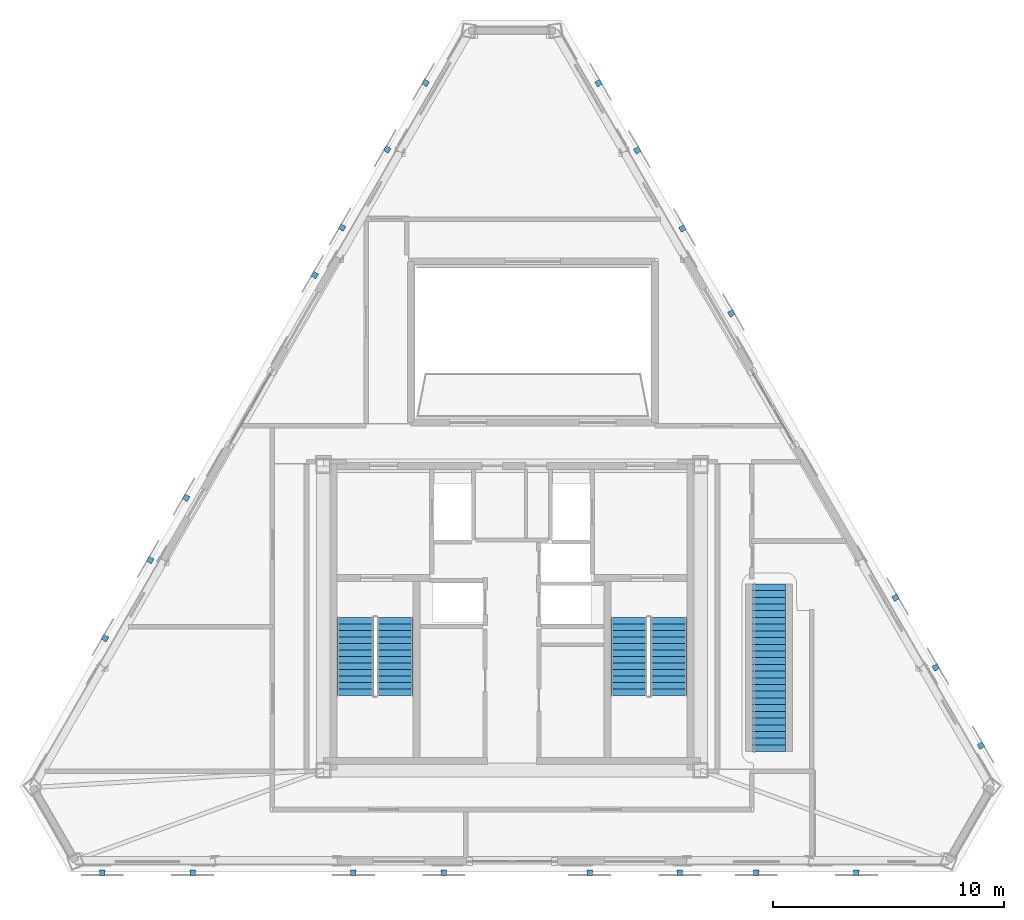
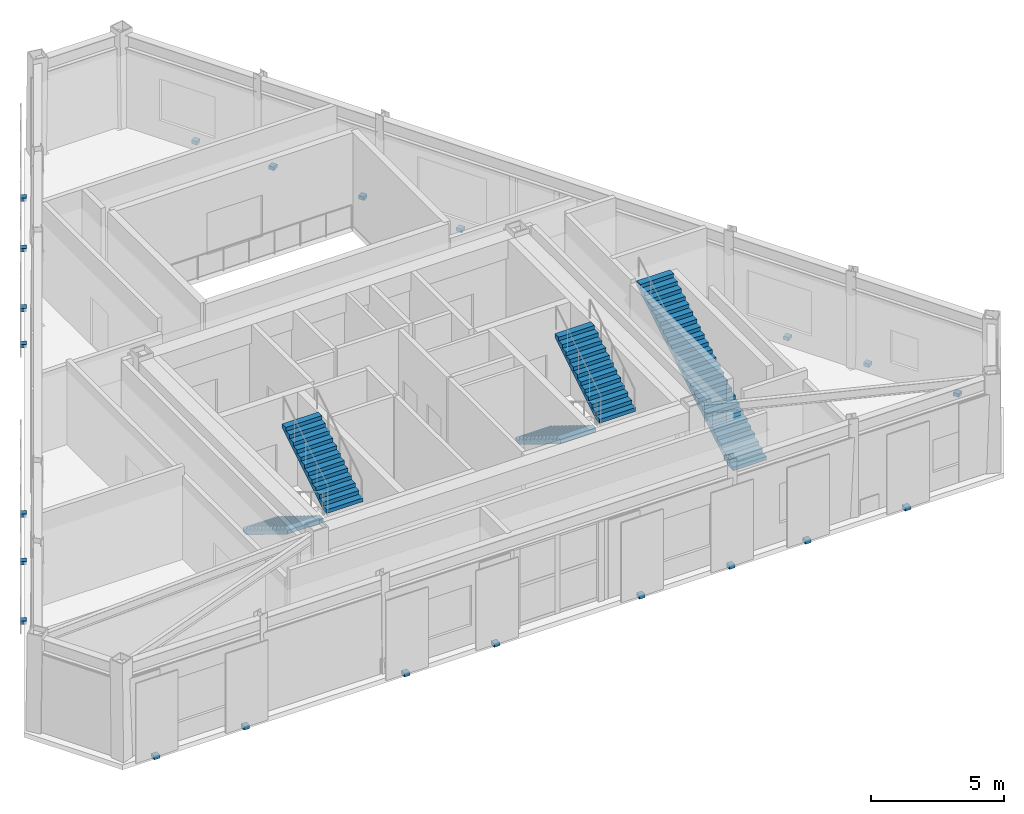
# One storey, part 12 of 15: 22 discrete accessories, 5 stair flights, 3 elements without a shape of their own.
"""IFC4 building model written with IfcOpenShell, lengths in metres."""

from ifc_helpers import new_model, si_unit, direction, frame, origin, origin_2d, place, context, subcontext, project, spatial, polyline, rectangle, outline, extrude, material, type_object, element, aggregate, save


model = new_model("IFC4")

# Units and contexts
model_context = context("Model", 3, precision=1e-05, world=origin(), true_north=direction((0.0, 1.0)))
body_context = subcontext(model_context, "Body", "Model", "MODEL_VIEW")
ifc_project = project(units=[si_unit("LENGTHUNIT", "METRE"), si_unit("AREAUNIT", "SQUARE_METRE"), si_unit("VOLUMEUNIT", "CUBIC_METRE"), si_unit("PLANEANGLEUNIT", "RADIAN"), si_unit("MASSUNIT", "GRAM", prefix="KILO")], contexts=[model_context])

# Site, building, storey
site_placement = place(None, origin())
site = spatial("IfcSite", under=ifc_project, at=site_placement, CompositionType="ELEMENT")
building_placement = place(site_placement, origin())
building = spatial("IfcBuilding", under=site, at=building_placement, Name="Oramaril Tower", CompositionType="ELEMENT")
storey_placement = place(building_placement, frame((0.0, 0.0, 305.10009765625)))
storey = spatial("IfcBuildingStorey", under=building, at=storey_placement, Name="L80", CompositionType="ELEMENT", Elevation=305.10009765625)

# Stair, stair flights
ifc_material_1 = material(Name="Concrete C50/60", Category="concrete")
stair_type_1 = type_object("IfcStairType", Name="STT-DG-4500", PredefinedType="HALF_TURN_STAIR", material=ifc_material_1)
stair_1_placement = place(storey_placement, origin())
stair_1 = element("IfcStair", 1, at=stair_1_placement, inside=storey, type_object=stair_type_1, Name="L80 Protected PFP Exit Stair ST-1", PredefinedType="HALF_TURN_STAIR")
ifc_material_2 = material(Name="Concrete C50/60", Category="concrete")
stair_flight_type_1 = type_object("IfcStairFlightType", Name="SFT-DG-4500", PredefinedType="STRAIGHT", material=ifc_material_2)
stair_flight_1_placement = place(storey_placement, frame((30.72998046875, 17.590087890625, 0.0), z_axis=(0.0, 0.0, 1.0), x_axis=(0.0, -1.0, 0.0)))
stair_flight_1 = element("IfcStairFlight", 2, at=stair_flight_1_placement, type_object=stair_flight_type_1, Name="ST-1 flight 1", NumberOfRisers=13, NumberOfTreads=12, PredefinedType="STRAIGHT", RiserHeight=0.173076923, TreadLength=0.28, context=body_context, shape_type="SweptSolid", body=[
    extrude(outline(polyline([(0.0, 0.0), (0.0, 0.173095703125), (0.280029296875, 0.173095703125), (0.280029296875, 0.34619140625), (0.56005859375, 0.34619140625), (0.56005859375, 0.519287109375), (0.840087890625, 0.519287109375), (0.840087890625, 0.6923828125), (1.1201171875, 0.6923828125), (1.1201171875, 0.865478515625), (1.39990234375, 0.865478515625), (1.39990234375, 1.03857421875), (1.679931640625, 1.03857421875), (1.679931640625, 1.21142578125), (1.9599609375, 1.21142578125), (1.9599609375, 1.384521484375), (2.239990234375, 1.384521484375), (2.239990234375, 1.5576171875), (2.52001953125, 1.5576171875), (2.52001953125, 1.730712890625), (2.800048828125, 1.730712890625), (2.800048828125, 1.90380859375), (3.080078125, 1.90380859375), (3.080078125, 2.076904296875), (3.360107421875, 2.076904296875), (3.360107421875, 2.25), (3.360107421875, 1.900634765625), (0.28515625, 0.0), (0.0, 0.0)])), frame((0.0, 0.780029296875, 0.0), z_axis=(0.0, -1.0, 0.0), x_axis=(1.0, 0.0, 0.0)), (0.0, 0.0, 1.0), 1.56005859375),
])
stair_flight_2_placement = place(storey_placement, frame((32.43994140625, 14.22998046875, 2.25), z_axis=(0.0, 0.0, 1.0), x_axis=(0.0, 1.0, 0.0)))
stair_flight_2 = element("IfcStairFlight", 3, at=stair_flight_2_placement, type_object=stair_flight_type_1, Name="ST-1 flight 2", NumberOfRisers=13, NumberOfTreads=12, PredefinedType="STRAIGHT", RiserHeight=0.173076923, TreadLength=0.28, context=body_context, shape_type="SweptSolid", body=[
    extrude(outline(polyline([(0.0, 0.0), (0.0, 0.173095703125), (0.280029296875, 0.173095703125), (0.280029296875, 0.34619140625), (0.56005859375, 0.34619140625), (0.56005859375, 0.519287109375), (0.840087890625, 0.519287109375), (0.840087890625, 0.6923828125), (1.1201171875, 0.6923828125), (1.1201171875, 0.865478515625), (1.39990234375, 0.865478515625), (1.39990234375, 1.03857421875), (1.679931640625, 1.03857421875), (1.679931640625, 1.21142578125), (1.9599609375, 1.21142578125), (1.9599609375, 1.384521484375), (2.239990234375, 1.384521484375), (2.239990234375, 1.5576171875), (2.52001953125, 1.5576171875), (2.52001953125, 1.730712890625), (2.800048828125, 1.730712890625), (2.800048828125, 1.90380859375), (3.080078125, 1.90380859375), (3.080078125, 2.076904296875), (3.360107421875, 2.076904296875), (3.360107421875, 2.25), (3.360107421875, 1.900634765625), (0.28515625, 0.0), (0.0, 0.0)])), frame((0.0, 0.780029296875, 0.0), z_axis=(0.0, -1.0, 0.0), x_axis=(1.0, 0.0, 0.0)), (0.0, 0.0, 1.0), 1.56005859375),
])
aggregate(stair_1, [stair_flight_1, stair_flight_2])

stair_2_placement = place(storey_placement, origin())
stair_2 = element("IfcStair", 4, at=stair_2_placement, inside=storey, type_object=stair_type_1, Name="L80 Protected PFP Exit Stair ST-2", PredefinedType="HALF_TURN_STAIR")
stair_flight_3_placement = place(storey_placement, frame((42.56005859375, 17.590087890625, 0.0), z_axis=(0.0, 0.0, 1.0), x_axis=(0.0, -1.0, 0.0)))
stair_flight_3 = element("IfcStairFlight", 5, at=stair_flight_3_placement, type_object=stair_flight_type_1, Name="ST-2 flight 1", NumberOfRisers=13, NumberOfTreads=12, PredefinedType="STRAIGHT", RiserHeight=0.173076923, TreadLength=0.28, context=body_context, shape_type="SweptSolid", body=[
    extrude(outline(polyline([(0.0, 0.0), (0.0, 0.173095703125), (0.280029296875, 0.173095703125), (0.280029296875, 0.34619140625), (0.56005859375, 0.34619140625), (0.56005859375, 0.519287109375), (0.840087890625, 0.519287109375), (0.840087890625, 0.6923828125), (1.1201171875, 0.6923828125), (1.1201171875, 0.865478515625), (1.39990234375, 0.865478515625), (1.39990234375, 1.03857421875), (1.679931640625, 1.03857421875), (1.679931640625, 1.21142578125), (1.9599609375, 1.21142578125), (1.9599609375, 1.384521484375), (2.239990234375, 1.384521484375), (2.239990234375, 1.5576171875), (2.52001953125, 1.5576171875), (2.52001953125, 1.730712890625), (2.800048828125, 1.730712890625), (2.800048828125, 1.90380859375), (3.080078125, 1.90380859375), (3.080078125, 2.076904296875), (3.360107421875, 2.076904296875), (3.360107421875, 2.25), (3.360107421875, 1.900634765625), (0.28515625, 0.0), (0.0, 0.0)])), frame((0.0, 0.780029296875, 0.0), z_axis=(0.0, -1.0, 0.0), x_axis=(1.0, 0.0, 0.0)), (0.0, 0.0, 1.0), 1.56005859375),
])
stair_flight_4_placement = place(storey_placement, frame((44.27001953125, 14.22998046875, 2.25), z_axis=(0.0, 0.0, 1.0), x_axis=(0.0, 1.0, 0.0)))
stair_flight_4 = element("IfcStairFlight", 6, at=stair_flight_4_placement, type_object=stair_flight_type_1, Name="ST-2 flight 2", NumberOfRisers=13, NumberOfTreads=12, PredefinedType="STRAIGHT", RiserHeight=0.173076923, TreadLength=0.28, context=body_context, shape_type="SweptSolid", body=[
    extrude(outline(polyline([(0.0, 0.0), (0.0, 0.173095703125), (0.280029296875, 0.173095703125), (0.280029296875, 0.34619140625), (0.56005859375, 0.34619140625), (0.56005859375, 0.519287109375), (0.840087890625, 0.519287109375), (0.840087890625, 0.6923828125), (1.1201171875, 0.6923828125), (1.1201171875, 0.865478515625), (1.39990234375, 0.865478515625), (1.39990234375, 1.03857421875), (1.679931640625, 1.03857421875), (1.679931640625, 1.21142578125), (1.9599609375, 1.21142578125), (1.9599609375, 1.384521484375), (2.239990234375, 1.384521484375), (2.239990234375, 1.5576171875), (2.52001953125, 1.5576171875), (2.52001953125, 1.730712890625), (2.800048828125, 1.730712890625), (2.800048828125, 1.90380859375), (3.080078125, 1.90380859375), (3.080078125, 2.076904296875), (3.360107421875, 2.076904296875), (3.360107421875, 2.25), (3.360107421875, 1.900634765625), (0.28515625, 0.0), (0.0, 0.0)])), frame((0.0, 0.780029296875, 0.0), z_axis=(0.0, -1.0, 0.0), x_axis=(1.0, 0.0, 0.0)), (0.0, 0.0, 1.0), 1.56005859375),
])
aggregate(stair_2, [stair_flight_3, stair_flight_4])

# Stair, stair flight
ifc_material_3 = material(Name="Concrete C40/50", Category="concrete")
stair_type_2 = type_object("IfcStairType", Name="STT-SR-ST-8", PredefinedType="STRAIGHT_RUN_STAIR", material=ifc_material_3)
stair_3_placement = place(storey_placement, origin())
stair_3 = element("IfcStair", 7, at=stair_3_placement, inside=storey, type_object=stair_type_2, Name="L80 Architectural Feature Stair ST-8", PredefinedType="STRAIGHT_RUN_STAIR")
ifc_material_4 = material(Name="Concrete C40/50", Category="concrete")
stair_flight_type_2 = type_object("IfcStairFlightType", Name="SFT-SR-ST-8", PredefinedType="STRAIGHT", material=ifc_material_4)
stair_flight_5_placement = place(storey_placement, frame((48.60009765625, 11.800048828125, 0.0), z_axis=(0.0, 0.0, 1.0), x_axis=(0.0, 1.0, 0.0)))
stair_flight_5 = element("IfcStairFlight", 8, at=stair_flight_5_placement, type_object=stair_flight_type_2, Name="ST-8 flight 1", NumberOfRisers=26, NumberOfTreads=25, PredefinedType="STRAIGHT", RiserHeight=0.173077, TreadLength=0.29, context=body_context, shape_type="SweptSolid", body=[
    extrude(outline(polyline([(0.0, 0.0), (0.0, 0.173095703125), (0.2900390625, 0.173095703125), (0.2900390625, 0.34619140625), (0.580078125, 0.34619140625), (0.580078125, 0.519287109375), (0.8701171875, 0.519287109375), (0.8701171875, 0.6923828125), (1.159912109375, 0.6923828125), (1.159912109375, 0.865478515625), (1.449951171875, 0.865478515625), (1.449951171875, 1.03857421875), (1.739990234375, 1.03857421875), (1.739990234375, 1.21142578125), (2.030029296875, 1.21142578125), (2.030029296875, 1.384521484375), (2.320068359375, 1.384521484375), (2.320068359375, 1.5576171875), (2.610107421875, 1.5576171875), (2.610107421875, 1.730712890625), (2.89990234375, 1.730712890625), (2.89990234375, 1.90380859375), (3.18994140625, 1.90380859375), (3.18994140625, 2.076904296875), (3.47998046875, 2.076904296875), (3.47998046875, 2.25), (3.77001953125, 2.25), (3.77001953125, 2.423095703125), (4.06005859375, 2.423095703125), (4.06005859375, 2.59619140625), (4.35009765625, 2.59619140625), (4.35009765625, 2.769287109375), (4.639892578125, 2.769287109375), (4.639892578125, 2.9423828125), (4.929931640625, 2.9423828125), (4.929931640625, 3.115478515625), (5.219970703125, 3.115478515625), (5.219970703125, 3.28857421875), (5.510009765625, 3.28857421875), (5.510009765625, 3.46142578125), (5.800048828125, 3.46142578125), (5.800048828125, 3.634521484375), (6.090087890625, 3.634521484375), (6.090087890625, 3.8076171875), (6.3798828125, 3.8076171875), (6.3798828125, 3.980712890625), (6.669921875, 3.980712890625), (6.669921875, 4.15380859375), (6.9599609375, 4.15380859375), (6.9599609375, 4.326904296875), (7.25, 4.326904296875), (7.25, 4.5), (7.25, 4.117431640625), (0.35107421875, 0.0), (0.0, 0.0)])), frame((0.0, 0.72509765625, 0.0), z_axis=(0.0, -1.0, 0.0), x_axis=(1.0, 0.0, 0.0)), (0.0, 0.0, 1.0), 1.449951171875),
])
aggregate(stair_3, [stair_flight_5])

# Discrete accessories
for number, where, z_axis, x_axis, name in (
    (9, (19.7998046875, 6.57373046875, -0.14013671875), (0.0, 0.0, 1.0), (1.0, 0.0, 0.0), "L80 Solar Screen Slab Bracket"),
    (10, (23.69970703125, 6.57373046875, -0.14013671875), (0.0, 0.0, 1.0), (1.0, 0.0, 0.0), "L80 Solar Screen Slab Bracket"),
    (11, (30.64990234375, 6.57373046875, -0.14013671875), (0.0, 0.0, 1.0), (1.0, 0.0, 0.0), "L80 Solar Screen Slab Bracket"),
    (12, (34.550048828125, 6.57373046875, -0.14013671875), (0.0, 0.0, 1.0), (1.0, 0.0, 0.0), "L80 Solar Screen Slab Bracket"),
    (13, (40.8505859375, 6.57373046875, -0.14013671875), (0.0, 0.0, 1.0), (1.0, 0.0, 0.0), "L80 Solar Screen Slab Bracket"),
    (14, (44.75048828125, 6.57373046875, -0.14013671875), (0.0, 0.0, 1.0), (1.0, 0.0, 0.0), "L80 Solar Screen Slab Bracket"),
    (15, (48.05126953125, 6.57373046875, -0.14013671875), (0.0, 0.0, 1.0), (1.0, 0.0, 0.0), "L80 Solar Screen Slab Bracket"),
    (16, (52.374755859375, 6.57373046875, -0.14013671875), (0.0, 0.0, 1.0), (1.0, 0.0, 0.0), "L80 Solar Screen Slab Bracket"),
    (17, (57.760009765625, 12.061279296875, -0.14013671875), (0.0, 0.0, 1.0), (-0.5, 0.866025403784, 0.0), "L80 Solar Screen Slab Bracket"),
    (18, (55.81005859375, 15.438720703125, -0.14013671875), (0.0, 0.0, 1.0), (-0.5, 0.866025403784, 0.0), "L80 Solar Screen Slab Bracket"),
    (19, (54.06982421875, 18.45263671875, -0.14013671875), (0.0, 0.0, 1.0), (-0.5, 0.866025403784, 0.0), "L80 Solar Screen Slab Bracket"),
    (20, (46.978515625, 30.7353515625, -0.14013671875), (0.0, 0.0, 1.0), (-0.500001511499, 0.866024531118, 0.0), "L80 Solar Screen Slab Bracket"),
    (21, (44.862060546875, 34.4013671875, -0.14013671875), (0.0, 0.0, 1.0), (-0.500001511499, 0.866024531118, 0.0), "L80 Solar Screen Slab Bracket"),
    (22, (42.912109375, 37.77880859375, -0.14013671875), (0.0, 0.0, 1.0), (-0.500001511499, 0.866024531118, 0.0), "L80 Solar Screen Slab Bracket"),
    (23, (41.23828125, 40.677734375, -0.14013671875), (0.0, 0.0, 1.0), (-0.500001511499, 0.866024531118, 0.0), "L80 Solar Screen Slab Bracket"),
    (24, (28.97509765625, 32.38720703125, -0.14013671875), (0.0, 0.0, 1.0), (-0.5, -0.866025403784, 0.0), "L80 Solar Screen Slab Bracket"),
    (25, (33.76904296875, 40.690185546875, -0.14013671875), (0.0, 0.0, 1.0), (-0.5, -0.866025403784, 0.0), "L80 Solar Screen Slab Bracket"),
    (26, (32.109619140625, 37.81640625, -0.14013671875), (0.0, 0.0, 1.0), (-0.5, -0.866025403784, 0.0), "L80 Solar Screen Slab Bracket"),
    (27, (30.15966796875, 34.438720703125, -0.14013671875), (0.0, 0.0, 1.0), (-0.5, -0.866025403784, 0.0), "L80 Solar Screen Slab Bracket"),
    (28, (23.42138671875, 22.767578125, -0.14013671875), (0.0, 0.0, 1.0), (-0.500001511499, -0.866024531118, 0.0), "L80 Solar Screen Slab Bracket"),
    (29, (21.866943359375, 20.075439453125, -0.14013671875), (0.0, 0.0, 1.0), (-0.500001511499, -0.866024531118, 0.0), "L80 Solar Screen Slab Bracket"),
    (30, (19.9169921875, 16.697998046875, -0.14013671875), (0.0, 0.0, 1.0), (-0.500001511499, -0.866024531118, 0.0), "L80 Solar Screen Slab Bracket"),
):
    element("IfcDiscreteAccessory", number, at=place(storey_placement, frame(where, z_axis=z_axis, x_axis=x_axis)), inside=storey, Name=name, PredefinedType="BRACKET", context=body_context, shape_type="SweptSolid", body=[
        extrude(rectangle(XDim=0.239990234375, YDim=0.239990234375, at=origin_2d()), origin(), (0.0, 0.0, 1.0), 0.159912109375),
    ])

save(model, "model.ifc")
